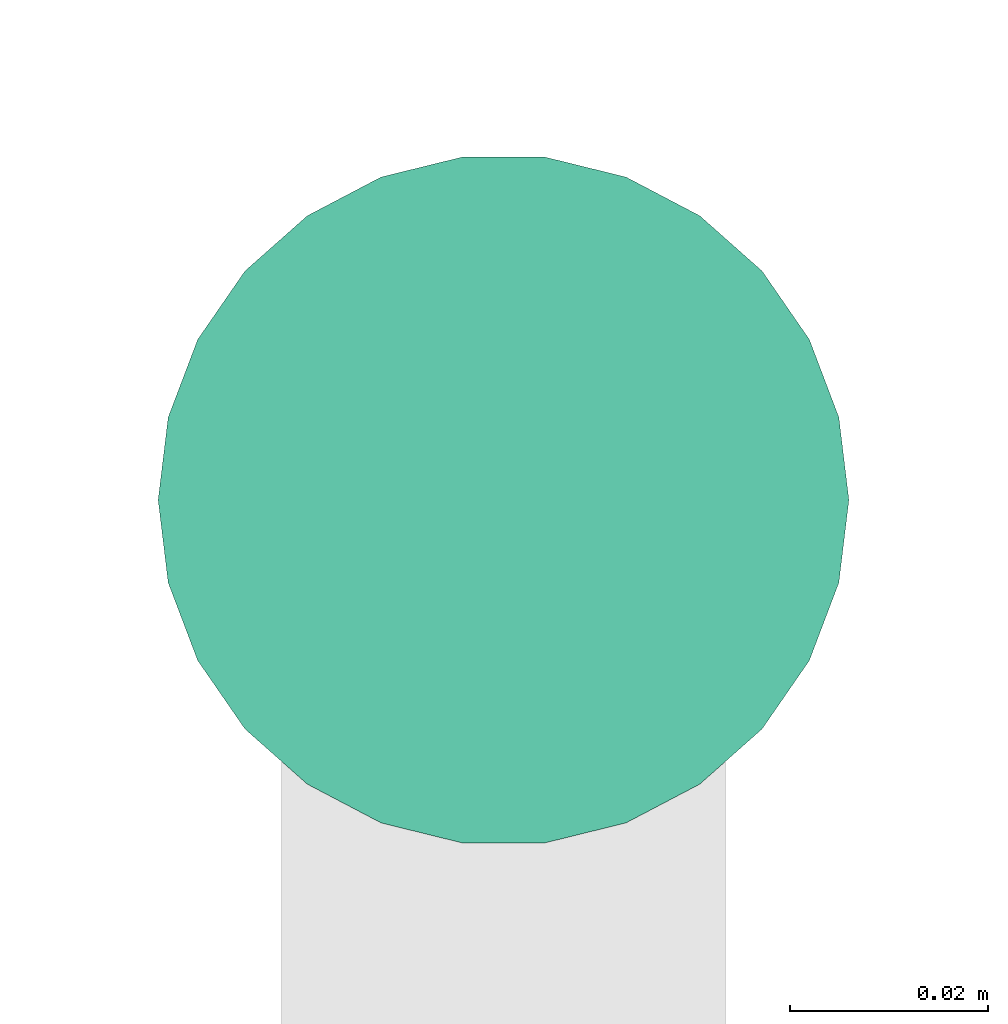
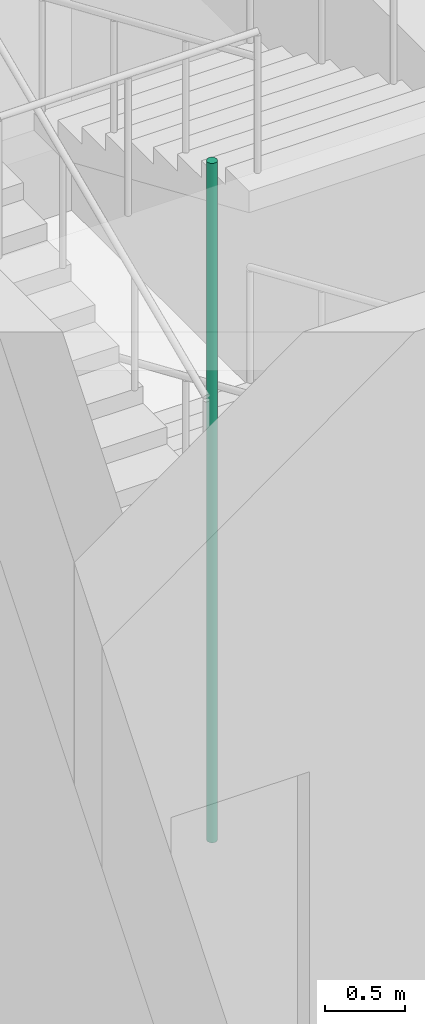
# One storey, part 22 of 31: 1 pipe segment.
"""IFC4 building model written with IfcOpenShell, lengths in metres."""

from ifc_helpers import new_model, si_unit, direction, frame, origin, origin_2d, place, context, subcontext, project, spatial, circle, extrude, element, save


model = new_model("IFC4")

# Units and contexts
model_context = context("Model", 3, precision=1e-05, world=origin(), true_north=direction((0.0, 1.0)))
body_context = subcontext(model_context, "Body", "Model", "MODEL_VIEW")
ifc_project = project(units=[si_unit("LENGTHUNIT", "METRE"), si_unit("AREAUNIT", "SQUARE_METRE"), si_unit("VOLUMEUNIT", "CUBIC_METRE"), si_unit("PLANEANGLEUNIT", "RADIAN"), si_unit("MASSUNIT", "GRAM", prefix="KILO")], contexts=[model_context])

# Site, building, storey
site_placement = place(None, origin())
site = spatial("IfcSite", under=ifc_project, at=site_placement, CompositionType="ELEMENT")
building_placement = place(site_placement, origin())
building = spatial("IfcBuilding", under=site, at=building_placement, Name="Nzadi Deep Aquarium and Research Tower", CompositionType="ELEMENT")
storey_placement = place(building_placement, frame((0.0, 0.0, 26.699951171875)))
storey = spatial("IfcBuildingStorey", under=building, at=storey_placement, Name="L04", CompositionType="ELEMENT", Elevation=26.699951171875)

# Pipe segment
pipe_segment_placement = place(storey_placement, frame((2.300048828125, 68.9599609375, 0.0), z_axis=(0.0, 0.0, 1.0), x_axis=(1.0, 0.0, 0.0)))
element("IfcPipeSegment", 1, at=pipe_segment_placement, inside=storey, Name="Dry riser ST-Z2-W L04", PredefinedType="RIGIDSEGMENT", context=body_context, shape_type="SweptSolid", body=[
    extrude(circle(Radius=0.034912109375, at=origin_2d()), origin(), (0.0, 0.0, 1.0), 5.199951171875),
])

save(model, "model.ifc")
